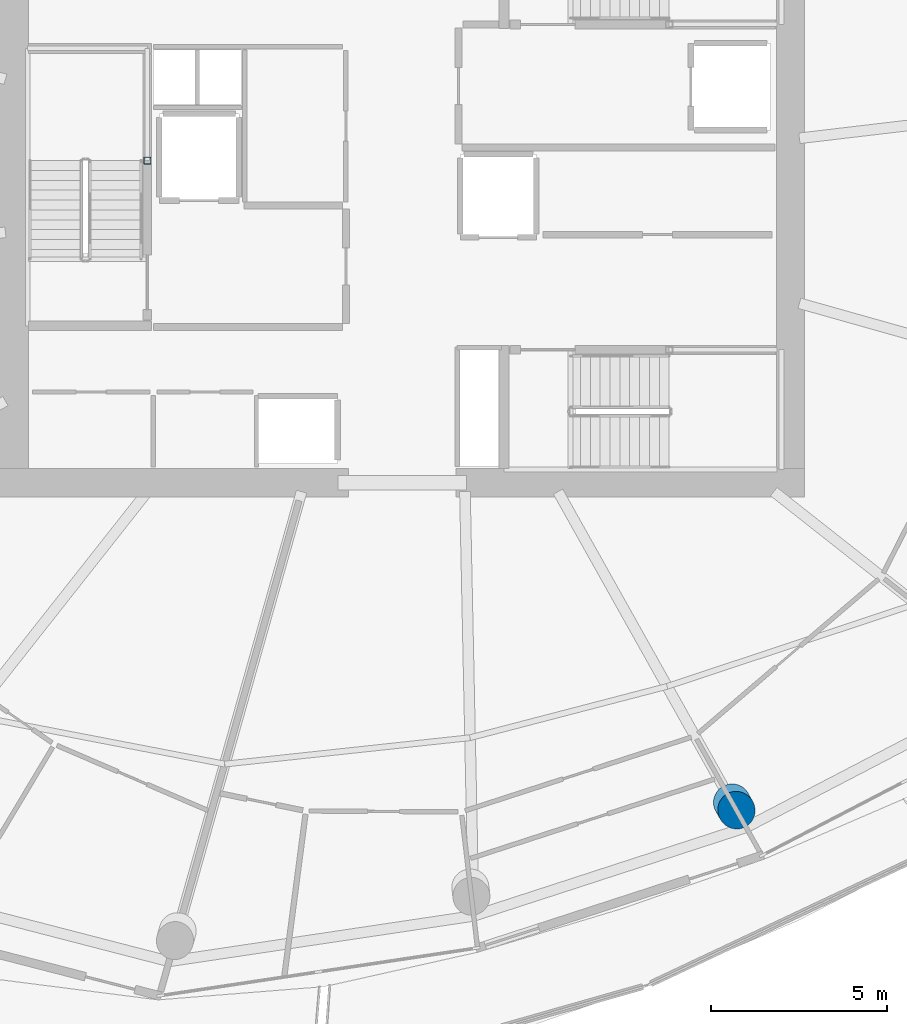
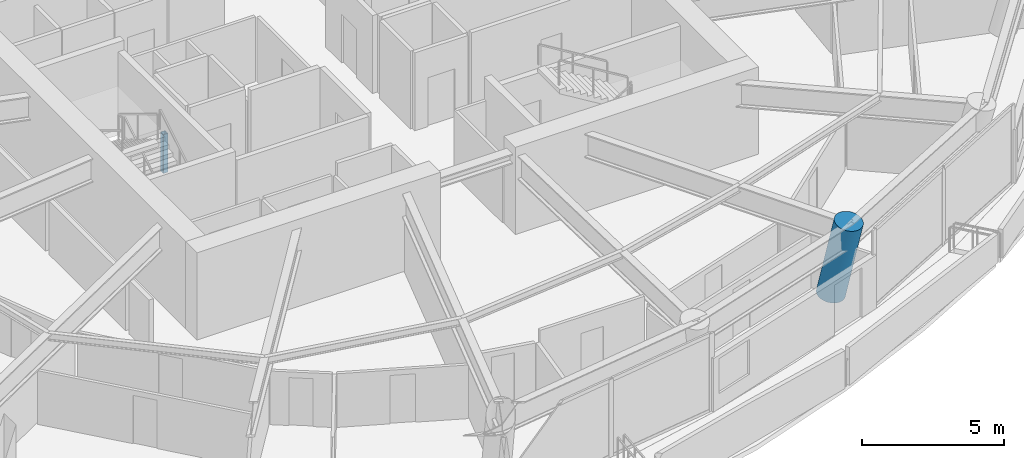
# One storey, part 2 of 19: 2 columns.
"""IFC4 building model written with IfcOpenShell, lengths in metres."""

from ifc_helpers import new_model, si_unit, direction, frame, origin, origin_2d, place, context, subcontext, project, spatial, hollow_rectangle, circle, extrude, material, material_profile, profile_set, type_object, element, save


model = new_model("IFC4")

# Units and contexts
model_context = context("Model", 3, precision=1e-05, world=origin(), true_north=direction((0.0, 1.0)))
body_context = subcontext(model_context, "Body", "Model", "MODEL_VIEW")
ifc_project = project(units=[si_unit("LENGTHUNIT", "METRE"), si_unit("AREAUNIT", "SQUARE_METRE"), si_unit("VOLUMEUNIT", "CUBIC_METRE"), si_unit("PLANEANGLEUNIT", "RADIAN"), si_unit("MASSUNIT", "GRAM", prefix="KILO")], contexts=[model_context])

# Site, building, storey
site_placement = place(None, origin())
site = spatial("IfcSite", under=ifc_project, at=site_placement, CompositionType="ELEMENT")
building_placement = place(site_placement, origin())
building = spatial("IfcBuilding", under=site, at=building_placement, Name="Kazma Halo Residences", CompositionType="ELEMENT")
storey_placement = place(building_placement, frame((0.0, 0.0, 172.800048828125)))
storey = spatial("IfcBuildingStorey", under=building, at=storey_placement, Name="L43", CompositionType="ELEMENT", Elevation=172.800048828125)

# Columns
ifc_material_1 = material(Name="Steel S355", Category="steel")
ifc_material_profile_1 = material_profile(ifc_material_1, hollow_rectangle(XDim=0.199951171875, YDim=0.199951171875, WallThickness=0.010009765625, InnerFilletRadius=0.010009765625, OuterFilletRadius=0.02001953125, at=origin_2d()), Name="SHS200x200x10")
ifc_profile_set_1 = profile_set([ifc_material_profile_1], Name="Steel S355")
column_type_1 = type_object("IfcColumnType", Name="COL-LP-SHS200", PredefinedType="COLUMN", material=ifc_profile_set_1)
column_1_placement = place(storey_placement, frame((41.179931640625, 42.75, 0.0), z_axis=(0.0, 0.0, 1.0), x_axis=(1.0, 0.0, 0.0)))
element("IfcColumn", 1, at=column_1_placement, inside=storey, type_object=column_type_1, Name="L43 ST-01 landing pilaster 1", PredefinedType="COLUMN", context=body_context, shape_type="SweptSolid", body=[
    extrude(hollow_rectangle(XDim=0.199951171875, YDim=0.199951171875, WallThickness=0.010009765625, InnerFilletRadius=0.010009765625, OuterFilletRadius=0.02001953125, at=origin_2d()), origin(), (0.0, 0.0, 1.0), 1.669921875),
])
ifc_material_2 = material(Name="Concrete C80/95", Category="concrete")
ifc_material_profile_2 = material_profile(ifc_material_2, circle(Radius=0.52490234375, at=origin_2d()), Name="CIRC1050")
ifc_profile_set_2 = profile_set([ifc_material_profile_2], Name="Concrete C80/95")
column_type_2 = type_object("IfcColumnType", Name="COL-PERIM-1050", PredefinedType="COLUMN", material=ifc_profile_set_2)
column_2_placement = place(storey_placement, frame((57.781982421875, 24.53271484375, 0.0), z_axis=(0.104922147102, -0.187279626204, 0.976687096596), x_axis=(0.872415530407, 0.488764915173, 0.0)))
element("IfcColumn", 2, at=column_2_placement, inside=storey, type_object=column_type_2, Name="L43 perimeter ring column P13", PredefinedType="COLUMN", context=body_context, shape_type="SweptSolid", body=[
    extrude(circle(Radius=0.52490234375, at=origin_2d()), origin(), (0.0, 0.0, 1.0), 3.429931640625),
])

save(model, "model.ifc")
